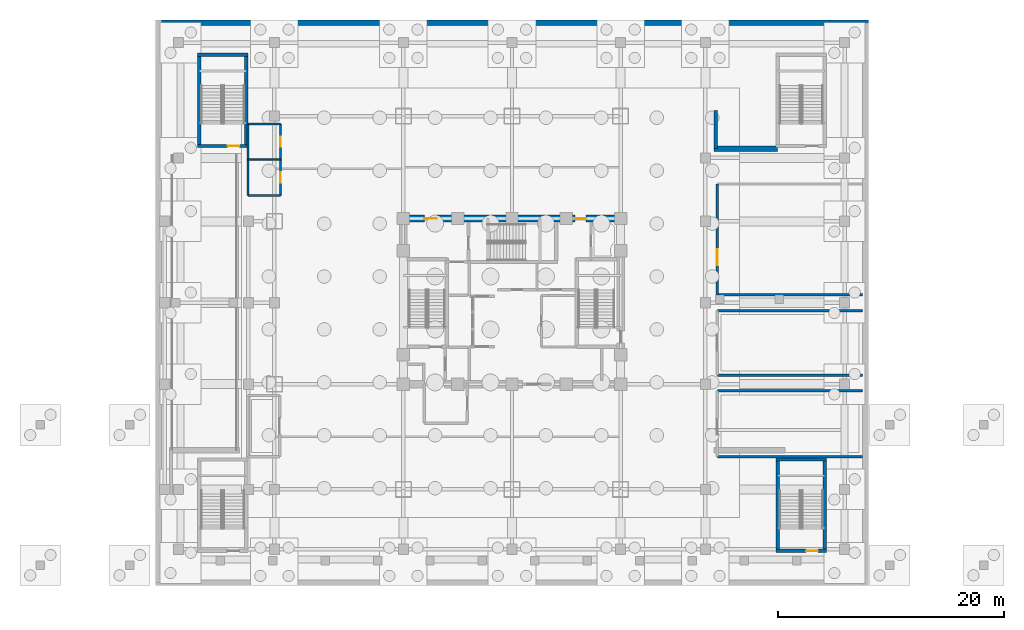
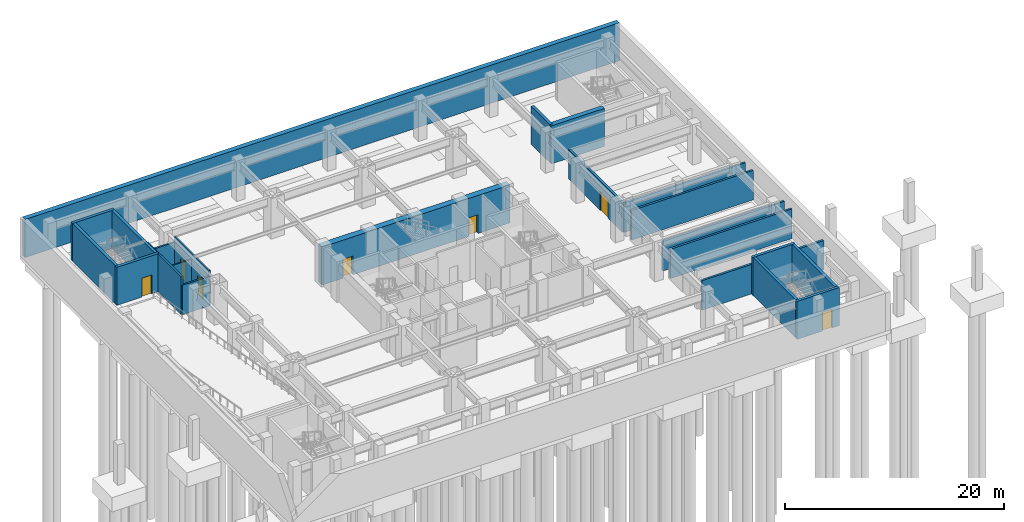
# One storey, part 6 of 12: 23 walls, 7 doors, 7 openings.
"""IFC4 building model written with IfcOpenShell, lengths in metres."""

from ifc_helpers import new_model, si_unit, direction, frame, frame_2d, origin, place, context, subcontext, project, spatial, rectangle, extrude, material, layer, layer_set, type_object, element, fill, save


model = new_model("IFC4")

# Units and contexts
model_context = context("Model", 3, precision=1e-05, world=origin(), true_north=direction((0.0, 1.0)))
body_context = subcontext(model_context, "Body", "Model", "MODEL_VIEW")
ifc_project = project(units=[si_unit("LENGTHUNIT", "METRE"), si_unit("AREAUNIT", "SQUARE_METRE"), si_unit("VOLUMEUNIT", "CUBIC_METRE"), si_unit("PLANEANGLEUNIT", "RADIAN"), si_unit("MASSUNIT", "GRAM", prefix="KILO")], contexts=[model_context])

# Site, building, storey
site_placement = place(None, origin())
site = spatial("IfcSite", under=ifc_project, at=site_placement, CompositionType="ELEMENT")
building_placement = place(site_placement, origin())
building = spatial("IfcBuilding", under=site, at=building_placement, Name="Vantalir Tower", CompositionType="ELEMENT")
storey_placement = place(building_placement, frame((0.0, 0.0, -9.0)))
storey = spatial("IfcBuildingStorey", under=building, at=storey_placement, Name="B02", CompositionType="ELEMENT", Elevation=-9.0)

# Walls
ifc_material_1 = material(Name="Moisture-resistant en-suite partition", Category="gypsum")
ifc_layer_1 = layer(ifc_material_1, 0.125)
ifc_layer_set_1 = layer_set([ifc_layer_1], Name="Moisture-resistant en-suite partition")
wall_type_1 = type_object("IfcWallType", Name="WL-BATH-125", PredefinedType="PARTITIONING", material=ifc_layer_set_1)
wall_1_placement = place(storey_placement, frame((8.14990234375, 37.64990234375, 0.0), z_axis=(0.0, 0.0, 1.0), x_axis=(1.0, 0.0, 0.0)))
element("IfcWall", 1, at=wall_1_placement, inside=storey, type_object=wall_type_1, Name="B02 Sanitary Divider", PredefinedType="PARTITIONING", context=body_context, shape_type="SweptSolid", body=[
    extrude(rectangle(XDim=2.900146484375, YDim=0.125, at=frame_2d((1.4501953125, 0.0))), origin(), (0.0, 0.0, 1.0), 3.297119140625),
])
ifc_material_2 = material(Name="Concrete C50/60", Category="concrete")
ifc_layer_2 = layer(ifc_material_2, 0.5)
ifc_layer_set_2 = layer_set([ifc_layer_2], Name="Concrete C50/60")
wall_type_2 = type_object("IfcWallType", Name="WL-BSMT-500", PredefinedType="SOLIDWALL", material=ifc_layer_set_2)
wall_2_placement = place(storey_placement, frame((63.0, 49.75, 0.0), z_axis=(0.0, 0.0, 1.0), x_axis=(-1.0, 0.0, 0.0)))
element("IfcWall", 2, at=wall_2_placement, inside=storey, type_object=wall_type_2, Name="B02 Perimeter Retaining Wall N", PredefinedType="SOLIDWALL", context=body_context, shape_type="SweptSolid", body=[
    extrude(rectangle(XDim=62.75, YDim=0.5, at=frame_2d((31.375, 0.0))), origin(), (0.0, 0.0, 1.0), 4.25),
])
wall_3_placement = place(storey_placement, frame((49.35009765625, 38.6201171875, 0.0), z_axis=(0.0, 0.0, 1.0), x_axis=(1.0, 0.0, 0.0)))
element("IfcWall", 3, at=wall_3_placement, inside=storey, type_object=wall_type_2, Name="B02 Car Park Ramp VR1 Head Foundation Pier Wall", PredefinedType="SOLIDWALL", context=body_context, shape_type="SweptSolid", body=[
    extrude(rectangle(XDim=5.6298828125, YDim=0.5, at=frame_2d((2.81494140625, 0.0))), origin(), (0.0, 0.0, 1.0), 4.25),
])

# Wall, openings, doors
ifc_material_3 = material(Name="Concrete C60/75", Category="concrete")
ifc_layer_3 = layer(ifc_material_3, 0.64990234375)
ifc_layer_set_3 = layer_set([ifc_layer_3], Name="Concrete C60/75")
wall_type_3 = type_object("IfcWallType", Name="WL-CORE-650", PredefinedType="SHEAR", material=ifc_layer_set_3)
wall_4_placement = place(storey_placement, frame((21.574951171875, 32.449951171875, 0.0), z_axis=(0.0, 0.0, 1.0), x_axis=(1.0, 0.0, 0.0)))
wall_4 = element("IfcWall", 4, at=wall_4_placement, inside=storey, type_object=wall_type_3, Name="B02 Core Shear Wall North", PredefinedType="SHEAR", context=body_context, shape_type="SweptSolid", body=[
    extrude(rectangle(XDim=19.85009765625, YDim=0.64990234375, at=frame_2d((9.925048828125, 0.0))), origin(), (0.0, 0.0, 1.0), 4.25),
])
opening_1_placement = place(wall_4_placement, frame((2.175048828125, 0.0, 0.0)))
opening_1 = element("IfcOpeningElement", 5, at=opening_1_placement, cuts=wall_4, Name="Opening D-FFL", PredefinedType="OPENING", context=body_context, shape_type="SweptSolid", body=[
    extrude(rectangle(XDim=1.10009765625, YDim=2.10009765625, at=frame_2d((0.550048828125, 1.050048828125))), frame((0.0, 0.3349609375, 0.0), z_axis=(0.0, -1.0, 0.0), x_axis=(1.0, 0.0, 0.0)), (0.0, 0.0, 1.0), 0.669921875),
])
opening_2_placement = place(wall_4_placement, frame((15.47509765625, 0.0, 0.0)))
opening_2 = element("IfcOpeningElement", 6, at=opening_2_placement, cuts=wall_4, Name="Opening D-GUEST", PredefinedType="OPENING", context=body_context, shape_type="SweptSolid", body=[
    extrude(rectangle(XDim=1.0, YDim=2.10009765625, at=frame_2d((0.5, 1.050048828125))), frame((0.0, 0.3349609375, 0.0), z_axis=(0.0, -1.0, 0.0), x_axis=(1.0, 0.0, 0.0)), (0.0, 0.0, 1.0), 0.669921875),
])
ifc_material_4 = material(Name="Fire-rated acoustic steel door", Category="steel")
door_type_1 = type_object("IfcDoorType", Name="DR-FIRE-LOBBY-1100", OperationType="NOTDEFINED", PredefinedType="DOOR", material=ifc_material_4)
door_1_placement = place(opening_1_placement, frame((1.10009765625, 0.0, 0.0), z_axis=(0.0, 0.0, 1.0), x_axis=(-1.0, 0.0, 0.0)))
door_1 = element("IfcDoor", 7, at=door_1_placement, inside=storey, type_object=door_type_1, Name="B02 Firefighting Lobby East Access Door", OperationType="SINGLE_SWING_RIGHT", OverallHeight=2.10009765625, OverallWidth=1.10009765625, PredefinedType="DOOR", context=body_context, shape_type="SweptSolid", body=[
    extrude(rectangle(XDim=1.10009765625, YDim=2.10009765625, at=frame_2d((0.550048828125, 1.050048828125))), frame((0.0, 0.02490234375, 0.0), z_axis=(0.0, -1.0, 0.0), x_axis=(1.0, 0.0, 0.0)), (0.0, 0.0, 1.0), 0.050048828125),
])
fill(opening_1, door_1)
ifc_material_5 = material(Name="Solid-core teak veneer acoustic fire door", Category="wood")
door_type_2 = type_object("IfcDoorType", Name="DR-GUEST-ENTRY-1000", OperationType="NOTDEFINED", PredefinedType="DOOR", material=ifc_material_5)
door_2_placement = place(opening_2_placement, frame((1.0, 0.0, 0.0), z_axis=(0.0, 0.0, 1.0), x_axis=(-1.0, 0.0, 0.0)))
door_2 = element("IfcDoor", 8, at=door_2_placement, inside=storey, type_object=door_type_2, Name="B02 North Core Service Lobby Door", OperationType="SINGLE_SWING_LEFT", OverallHeight=2.10009765625, OverallWidth=1.0, PredefinedType="DOOR", context=body_context, shape_type="SweptSolid", body=[
    extrude(rectangle(XDim=1.0, YDim=2.10009765625, at=frame_2d((0.5, 1.050048828125))), frame((0.0, 0.02490234375, 0.0), z_axis=(0.0, -1.0, 0.0), x_axis=(1.0, 0.0, 0.0)), (0.0, 0.0, 1.0), 0.050048828125),
])
fill(opening_2, door_2)

# Walls
ifc_material_6 = material(Name="Concrete blockwork with fireboard lining", Category="masonry")
ifc_layer_4 = layer(ifc_material_6, 0.219970703125)
ifc_layer_set_4 = layer_set([ifc_layer_4], Name="Concrete blockwork with fireboard lining")
wall_type_4 = type_object("IfcWallType", Name="WL-FFL-220", PredefinedType="PARTITIONING", material=ifc_layer_set_4)
for number, where, z_axis, x_axis, name in (
    (9, (49.64990234375, 11.39990234375, 0.0), (0.0, 0.0, 1.0), (1.0, 0.0, 0.0), "B02 Monsoon Rainwater Harvesting Tank South Wall"),
    (10, (49.64990234375, 17.199951171875, 0.0), (0.0, 0.0, 1.0), (1.0, 0.0, 0.0), "B02 Monsoon Rainwater Harvesting Tank North Wall"),
    (11, (49.64990234375, 18.60009765625, 0.0), (0.0, 0.0, 1.0), (1.0, 0.0, 0.0), "B02 Fire and Domestic Water Tank South Wall"),
    (12, (49.64990234375, 24.300048828125, 0.0), (0.0, 0.0, 1.0), (1.0, 0.0, 0.0), "B02 Fire and Domestic Water Tank North Wall"),
):
    element("IfcWall", number, at=place(storey_placement, frame(where, z_axis=z_axis, x_axis=x_axis)), inside=storey, type_object=wall_type_4, Name=name, PredefinedType="PARTITIONING", context=body_context, shape_type="SweptSolid", body=[
        extrude(rectangle(XDim=12.85009765625, YDim=0.219970703125, at=frame_2d((6.425048828125, 0.0))), origin(), (0.0, 0.0, 1.0), 3.297119140625),
    ])

# Wall, opening, door
wall_5_placement = place(storey_placement, frame((49.64990234375, 25.699951171875, 0.0), z_axis=(0.0, 0.0, 1.0), x_axis=(0.0, 1.0, 0.0)))
wall_5 = element("IfcWall", 13, at=wall_5_placement, inside=storey, type_object=wall_type_4, Name="B02 Central Chiller Plant West Wall", PredefinedType="PARTITIONING", context=body_context, shape_type="SweptSolid", body=[
    extrude(rectangle(XDim=9.800048828125, YDim=0.219970703125, at=frame_2d((4.89990234375, 0.0))), origin(), (0.0, 0.0, 1.0), 3.297119140625),
])
opening_3_placement = place(wall_5_placement, frame((2.632080078125, 0.0, 0.0)))
opening_3 = element("IfcOpeningElement", 14, at=opening_3_placement, cuts=wall_5, Name="Opening D-PLANT", PredefinedType="OPENING", context=body_context, shape_type="SweptSolid", body=[
    extrude(rectangle(XDim=1.39990234375, YDim=2.10009765625, at=frame_2d((0.699951171875, 1.050048828125))), frame((0.0, 0.119873046875, 0.0), z_axis=(0.0, -1.0, 0.0), x_axis=(1.0, 0.0, 0.0)), (0.0, 0.0, 1.0), 0.239990234375),
])
ifc_material_7 = material(Name="Louvred fire-rated steel plant double door", Category="steel")
door_type_3 = type_object("IfcDoorType", Name="DR-PLANT-1400", OperationType="DOUBLE_DOOR_SINGLE_SWING", PredefinedType="DOOR", material=ifc_material_7)
door_3_placement = place(opening_3_placement, frame((1.39990234375, 0.0, 0.0), z_axis=(0.0, 0.0, 1.0), x_axis=(-1.0, 0.0, 0.0)))
door_3 = element("IfcDoor", 15, at=door_3_placement, inside=storey, type_object=door_type_3, Name="B02 Central Chiller Plant Plant Door", OperationType="DOUBLE_DOOR_SINGLE_SWING", OverallHeight=2.10009765625, OverallWidth=1.39990234375, PredefinedType="DOOR", context=body_context, shape_type="SweptSolid", body=[
    extrude(rectangle(XDim=1.39990234375, YDim=2.10009765625, at=frame_2d((0.699951171875, 1.050048828125))), frame((0.0, 0.02490234375, 0.0), z_axis=(0.0, -1.0, 0.0), x_axis=(1.0, 0.0, 0.0)), (0.0, 0.0, 1.0), 0.050048828125),
])
fill(opening_3, door_3)

# Wall
wall_6_placement = place(storey_placement, frame((49.64990234375, 25.699951171875, 0.0), z_axis=(0.0, 0.0, 1.0), x_axis=(1.0, 0.0, 0.0)))
element("IfcWall", 16, at=wall_6_placement, inside=storey, type_object=wall_type_4, Name="B02 Central Chiller Plant South Wall", PredefinedType="PARTITIONING", context=body_context, shape_type="SweptSolid", body=[
    extrude(rectangle(XDim=12.85009765625, YDim=0.219970703125, at=frame_2d((6.425048828125, 0.0))), origin(), (0.0, 0.0, 1.0), 3.297119140625),
])

# Wall, openings, doors
ifc_material_8 = material(Name="Twin-stud acoustic fire-rated gypsum partition", Category="gypsum")
ifc_layer_5 = layer(ifc_material_8, 0.179931640625)
ifc_layer_set_5 = layer_set([ifc_layer_5], Name="Twin-stud acoustic fire-rated gypsum partition")
wall_type_5 = type_object("IfcWallType", Name="WL-GUEST-180", PredefinedType="PARTITIONING", material=ifc_layer_set_5)
wall_7_placement = place(storey_placement, frame((11.050048828125, 34.5, 0.0), z_axis=(0.0, 0.0, 1.0), x_axis=(0.0, 1.0, 0.0)))
wall_7 = element("IfcWall", 17, at=wall_7_placement, inside=storey, type_object=wall_type_5, Name="B02 Sanitary Block East Wall", PredefinedType="PARTITIONING", context=body_context, shape_type="SweptSolid", body=[
    extrude(rectangle(XDim=6.300048828125, YDim=0.179931640625, at=frame_2d((3.14990234375, 0.0))), origin(), (0.0, 0.0, 1.0), 3.8720703125),
])
opening_4_placement = place(wall_7_placement, frame((1.10009765625, 0.0, 0.0)))
opening_4 = element("IfcOpeningElement", 18, at=opening_4_placement, cuts=wall_7, Name="Opening D-AWC", PredefinedType="OPENING", context=body_context, shape_type="SweptSolid", body=[
    extrude(rectangle(XDim=0.949951171875, YDim=2.10009765625, at=frame_2d((0.47509765625, 1.050048828125))), frame((0.0, 0.099853515625, 0.0), z_axis=(0.0, -1.0, 0.0), x_axis=(1.0, 0.0, 0.0)), (0.0, 0.0, 1.0), 0.199951171875),
])
opening_5_placement = place(wall_7_placement, frame((4.27490234375, 0.0, 0.0)))
opening_5 = element("IfcOpeningElement", 19, at=opening_5_placement, cuts=wall_7, Name="Opening D-WC", PredefinedType="OPENING", context=body_context, shape_type="SweptSolid", body=[
    extrude(rectangle(XDim=0.89990234375, YDim=2.10009765625, at=frame_2d((0.449951171875, 1.050048828125))), frame((0.0, 0.099853515625, 0.0), z_axis=(0.0, -1.0, 0.0), x_axis=(1.0, 0.0, 0.0)), (0.0, 0.0, 1.0), 0.199951171875),
])
ifc_material_9 = material(Name="Accessible toilet outward-opening hardwood door", Category="wood")
door_type_4 = type_object("IfcDoorType", Name="DR-ACC-WC-950", OperationType="NOTDEFINED", PredefinedType="DOOR", material=ifc_material_9)
door_4_placement = place(opening_4_placement, frame((0.949951171875, 0.0, 0.0), z_axis=(0.0, 0.0, 1.0), x_axis=(-1.0, 0.0, 0.0)))
door_4 = element("IfcDoor", 20, at=door_4_placement, inside=storey, type_object=door_type_4, Name="B02 Accessible WC Door", OperationType="SINGLE_SWING_LEFT", OverallHeight=2.10009765625, OverallWidth=0.949951171875, PredefinedType="DOOR", context=body_context, shape_type="SweptSolid", body=[
    extrude(rectangle(XDim=0.949951171875, YDim=2.10009765625, at=frame_2d((0.47509765625, 1.050048828125))), frame((0.0, 0.02490234375, 0.0), z_axis=(0.0, -1.0, 0.0), x_axis=(1.0, 0.0, 0.0)), (0.0, 0.0, 1.0), 0.050048828125),
])
fill(opening_4, door_4)
ifc_material_10 = material(Name="Moisture-resistant hardwood door", Category="wood")
door_type_5 = type_object("IfcDoorType", Name="DR-ENSUITE-900", OperationType="NOTDEFINED", PredefinedType="DOOR", material=ifc_material_10)
door_5_placement = place(opening_5_placement, origin())
door_5 = element("IfcDoor", 21, at=door_5_placement, inside=storey, type_object=door_type_5, Name="B02 Staff WC Door", OperationType="SINGLE_SWING_LEFT", OverallHeight=2.10009765625, OverallWidth=0.89990234375, PredefinedType="DOOR", context=body_context, shape_type="SweptSolid", body=[
    extrude(rectangle(XDim=0.89990234375, YDim=2.10009765625, at=frame_2d((0.449951171875, 1.050048828125))), frame((0.0, 0.02490234375, 0.0), z_axis=(0.0, -1.0, 0.0), x_axis=(1.0, 0.0, 0.0)), (0.0, 0.0, 1.0), 0.050048828125),
])
fill(opening_5, door_5)

# Walls
for number, where, z_axis, x_axis, name in (
    (22, (8.14990234375, 40.800048828125, 0.0), (0.0, 0.0, 1.0), (1.0, 0.0, 0.0), "B02 Sanitary North Wall"),
    (23, (8.14990234375, 34.5, 0.0), (0.0, 0.0, 1.0), (1.0, 0.0, 0.0), "B02 Sanitary South Wall"),
):
    element("IfcWall", number, at=place(storey_placement, frame(where, z_axis=z_axis, x_axis=x_axis)), inside=storey, type_object=wall_type_5, Name=name, PredefinedType="PARTITIONING", context=body_context, shape_type="SweptSolid", body=[
        extrude(rectangle(XDim=2.900146484375, YDim=0.179931640625, at=frame_2d((1.4501953125, 0.0))), origin(), (0.0, 0.0, 1.0), 3.297119140625),
    ])
wall_8_placement = place(storey_placement, frame((8.14990234375, 34.5, 0.0), z_axis=(0.0, 0.0, 1.0), x_axis=(0.0, 1.0, 0.0)))
element("IfcWall", 24, at=wall_8_placement, inside=storey, type_object=wall_type_5, Name="B02 Sanitary West Wall", PredefinedType="PARTITIONING", context=body_context, shape_type="SweptSolid", body=[
    extrude(rectangle(XDim=6.300048828125, YDim=0.179931640625, at=frame_2d((3.14990234375, 0.0))), origin(), (0.0, 0.0, 1.0), 4.22998046875),
])

# Wall, opening, door
ifc_layer_6 = layer(ifc_material_2, 0.300048828125)
ifc_layer_set_6 = layer_set([ifc_layer_6], Name="Concrete C50/60")
wall_type_6 = type_object("IfcWallType", Name="WL-STAIR-300", PredefinedType="SHEAR", material=ifc_layer_set_6)
wall_9_placement = place(storey_placement, frame((3.699951171875, 38.860107421875, 0.0), z_axis=(0.0, 0.0, 1.0), x_axis=(1.0, 0.0, 0.0)))
wall_9 = element("IfcWall", 25, at=wall_9_placement, inside=storey, type_object=wall_type_6, Name="B02 PST1 South Wall", PredefinedType="SHEAR", context=body_context, shape_type="SweptSolid", body=[
    extrude(rectangle(XDim=4.449951171875, YDim=0.300048828125, at=frame_2d((2.22509765625, 0.0))), origin(), (0.0, 0.0, 1.0), 4.25),
])
opening_6_placement = place(wall_9_placement, frame((2.64990234375, 0.0, 0.0)))
opening_6 = element("IfcOpeningElement", 26, at=opening_6_placement, cuts=wall_9, Name="Opening D-ST", PredefinedType="OPENING", context=body_context, shape_type="SweptSolid", body=[
    extrude(rectangle(XDim=1.050048828125, YDim=2.10009765625, at=frame_2d((0.52490234375, 1.050048828125))), frame((0.0, 0.159912109375, 0.0), z_axis=(0.0, -1.0, 0.0), x_axis=(1.0, 0.0, 0.0)), (0.0, 0.0, 1.0), 0.320068359375),
])
ifc_material_11 = material(Name="Fire-rated steel door leaf", Category="steel")
door_type_6 = type_object("IfcDoorType", Name="DR-FIRE-STAIR-1050", OperationType="NOTDEFINED", PredefinedType="DOOR", material=ifc_material_11)
door_6_placement = place(opening_6_placement, origin())
door_6 = element("IfcDoor", 27, at=door_6_placement, inside=storey, type_object=door_type_6, Name="B02 Podium Stair PST1 Fire Door", OperationType="SINGLE_SWING_LEFT", OverallHeight=2.10009765625, OverallWidth=1.050048828125, PredefinedType="DOOR", context=body_context, shape_type="SweptSolid", body=[
    extrude(rectangle(XDim=1.050048828125, YDim=2.10009765625, at=frame_2d((0.52490234375, 1.050048828125))), frame((0.0, 0.02490234375, 0.0), z_axis=(0.0, -1.0, 0.0), x_axis=(1.0, 0.0, 0.0)), (0.0, 0.0, 1.0), 0.050048828125),
])
fill(opening_6, door_6)

# Walls
wall_10_placement = place(storey_placement, frame((3.699951171875, 46.93994140625, 0.0), z_axis=(0.0, 0.0, 1.0), x_axis=(1.0, 0.0, 0.0)))
element("IfcWall", 28, at=wall_10_placement, inside=storey, type_object=wall_type_6, Name="B02 PST1 North Wall", PredefinedType="SHEAR", context=body_context, shape_type="SweptSolid", body=[
    extrude(rectangle(XDim=4.449951171875, YDim=0.300048828125, at=frame_2d((2.22509765625, 0.0))), origin(), (0.0, 0.0, 1.0), 4.25),
])
for number, where, z_axis, x_axis, name in (
    (29, (3.860107421875, 38.860107421875, 0.0), (0.0, 0.0, 1.0), (0.0, 1.0, 0.0), "B02 PST1 West Wall"),
    (30, (7.989990234375, 38.860107421875, 0.0), (0.0, 0.0, 1.0), (0.0, 1.0, 0.0), "B02 PST1 East Wall"),
):
    element("IfcWall", number, at=place(storey_placement, frame(where, z_axis=z_axis, x_axis=x_axis)), inside=storey, type_object=wall_type_6, Name=name, PredefinedType="SHEAR", context=body_context, shape_type="SweptSolid", body=[
        extrude(rectangle(XDim=8.079833984375, YDim=0.300048828125, at=frame_2d((4.0400390625, 0.0))), origin(), (0.0, 0.0, 1.0), 4.25),
    ])

# Wall, opening, door
wall_11_placement = place(storey_placement, frame((54.85009765625, 3.06005859375, 0.0), z_axis=(0.0, 0.0, 1.0), x_axis=(1.0, 0.0, 0.0)))
wall_11 = element("IfcWall", 31, at=wall_11_placement, inside=storey, type_object=wall_type_6, Name="B02 PST4 South Wall", PredefinedType="SHEAR", context=body_context, shape_type="SweptSolid", body=[
    extrude(rectangle(XDim=4.449951171875, YDim=0.300048828125, at=frame_2d((2.22509765625, 0.0))), origin(), (0.0, 0.0, 1.0), 4.25),
])
opening_7_placement = place(wall_11_placement, frame((2.64990234375, 0.0, 0.0)))
opening_7 = element("IfcOpeningElement", 32, at=opening_7_placement, cuts=wall_11, Name="Opening D-ST", PredefinedType="OPENING", context=body_context, shape_type="SweptSolid", body=[
    extrude(rectangle(XDim=1.050048828125, YDim=2.10009765625, at=frame_2d((0.52490234375, 1.050048828125))), frame((0.0, 0.159912109375, 0.0), z_axis=(0.0, -1.0, 0.0), x_axis=(1.0, 0.0, 0.0)), (0.0, 0.0, 1.0), 0.320068359375),
])
door_7_placement = place(opening_7_placement, origin())
door_7 = element("IfcDoor", 33, at=door_7_placement, inside=storey, type_object=door_type_6, Name="B02 Podium Stair PST4 Fire Door", OperationType="SINGLE_SWING_LEFT", OverallHeight=2.10009765625, OverallWidth=1.050048828125, PredefinedType="DOOR", context=body_context, shape_type="SweptSolid", body=[
    extrude(rectangle(XDim=1.050048828125, YDim=2.10009765625, at=frame_2d((0.52490234375, 1.050048828125))), frame((0.0, 0.02490234375, 0.0), z_axis=(0.0, -1.0, 0.0), x_axis=(1.0, 0.0, 0.0)), (0.0, 0.0, 1.0), 0.050048828125),
])
fill(opening_7, door_7)

# Walls
wall_12_placement = place(storey_placement, frame((54.85009765625, 11.139892578125, 0.0), z_axis=(0.0, 0.0, 1.0), x_axis=(1.0, 0.0, 0.0)))
element("IfcWall", 34, at=wall_12_placement, inside=storey, type_object=wall_type_6, Name="B02 PST4 North Wall", PredefinedType="SHEAR", context=body_context, shape_type="SweptSolid", body=[
    extrude(rectangle(XDim=4.449951171875, YDim=0.300048828125, at=frame_2d((2.22509765625, 0.0))), origin(), (0.0, 0.0, 1.0), 4.25),
])
for number, where, z_axis, x_axis, name in (
    (35, (55.010009765625, 3.06005859375, 0.0), (0.0, 0.0, 1.0), (0.0, 1.0, 0.0), "B02 PST4 West Wall"),
    (36, (59.139892578125, 3.06005859375, 0.0), (0.0, 0.0, 1.0), (0.0, 1.0, 0.0), "B02 PST4 East Wall"),
):
    element("IfcWall", number, at=place(storey_placement, frame(where, z_axis=z_axis, x_axis=x_axis)), inside=storey, type_object=wall_type_6, Name=name, PredefinedType="SHEAR", context=body_context, shape_type="SweptSolid", body=[
        extrude(rectangle(XDim=8.079833984375, YDim=0.300048828125, at=frame_2d((4.0400390625, 0.0))), origin(), (0.0, 0.0, 1.0), 4.25),
    ])
wall_13_placement = place(storey_placement, frame((49.5, 38.6201171875, 0.0), z_axis=(0.0, 0.0, 1.0), x_axis=(0.0, 1.0, 0.0)))
element("IfcWall", 37, at=wall_13_placement, inside=storey, type_object=wall_type_6, Name="B02 Car Park Ramp VR1 Apron West Support Wall", PredefinedType="SHEAR", context=body_context, shape_type="SweptSolid", body=[
    extrude(rectangle(XDim=3.39990234375, YDim=0.300048828125, at=frame_2d((1.699951171875, 0.0))), origin(), (0.0, 0.0, 1.0), 4.25),
])

save(model, "model.ifc")
